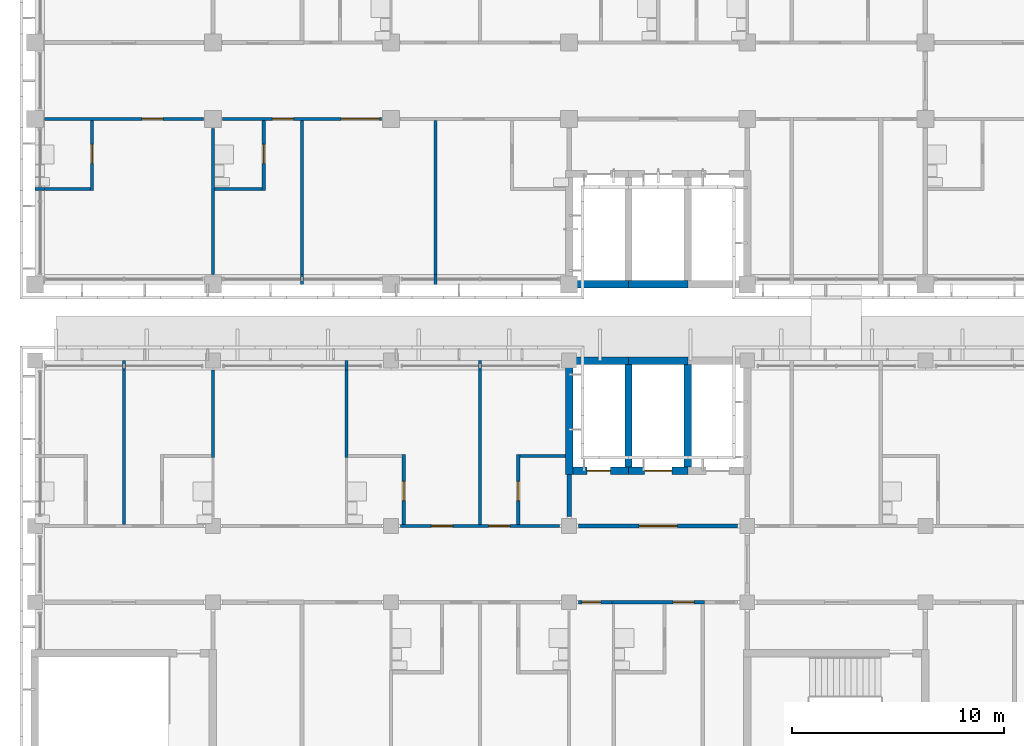
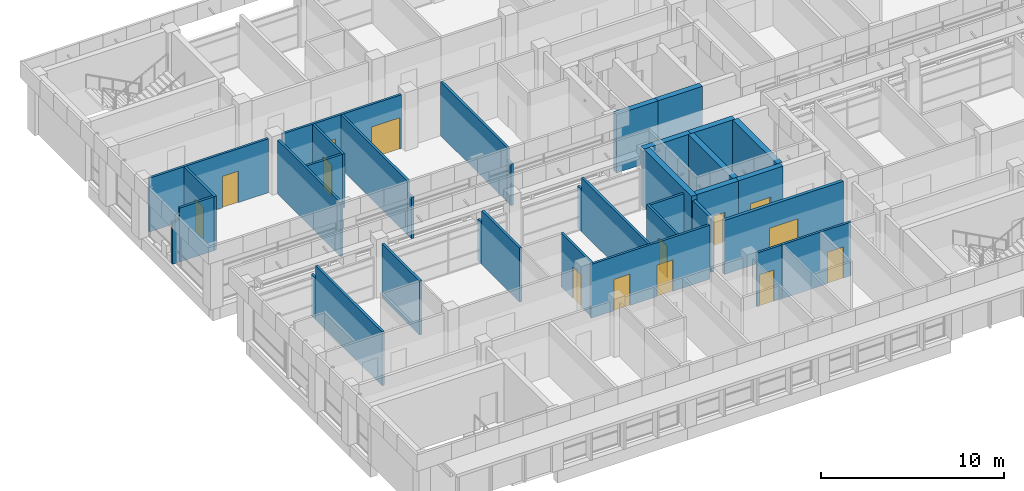
# One storey, part 28 of 71: 36 walls, 14 doors, 14 openings.
"""IFC4 building model written with IfcOpenShell, lengths in metres."""

import ifcopenshell
import ifcopenshell.guid

model = None  # the IFC model being written
_history = None  # IfcOwnerHistory: only IFC2X3 demands one
_inside = {}  # id of a spatial element -> (the spatial element, [elements in it])
_under = {}  # id of a project, library or spatial element -> (it, [spatial elements below it])
_declared = {}  # id of a project -> (the project, [libraries it declares])
_typed = {}  # id of a type object -> (the type object, [elements of that type])
_made_of = {}  # id of a material, layer set ... -> (it, [elements and type objects made of it])


def new_model(schema):
    """Start an empty IFC model of exactly this schema.

    Asked for "IFC4X3", IfcOpenShell would pick the latest addendum, in which some entities
    have other attributes; the version numbers below select the first issue.
    IFC2X3 requires an IfcOwnerHistory on every rooted entity: one is made here for all.
    """
    global model, _history
    if schema == "IFC4X3":
        model = ifcopenshell.file(schema_version=(4, 3, 0, 0))
    else:
        model = ifcopenshell.file(schema=schema)
    _inside.clear()
    _under.clear()
    _declared.clear()
    _typed.clear()
    _made_of.clear()
    _history = None
    if model.schema == "IFC2X3":
        org = make("IfcOrganization", Name="unknown")
        user = make(
            "IfcPersonAndOrganization",
            ThePerson=make("IfcPerson", FamilyName="unknown"),
            TheOrganization=org,
        )
        app = make(
            "IfcApplication",
            ApplicationDeveloper=org,
            Version="unknown",
            ApplicationFullName="unknown",
            ApplicationIdentifier="unknown",
        )
        _history = make(
            "IfcOwnerHistory",
            OwningUser=user,
            OwningApplication=app,
            ChangeAction="ADDED",
            CreationDate=0,
        )
    return model


def make(cls, **values):
    """One entity of the class cls with the attributes given. An attribute that is None is left unset."""
    return model.create_entity(
        cls, **{name: value for name, value in values.items() if value is not None}
    )


def rooted(cls, **values):
    """An entity with a GlobalId (a new one), such as an element, a storey or a relation."""
    return make(cls, GlobalId=ifcopenshell.guid.new(), OwnerHistory=_history, **values)


def si_unit(unit_type, name, prefix=None):
    """IfcSIUnit, for example si_unit("LENGTHUNIT", "METRE", prefix="MILLI")."""
    return make("IfcSIUnit", UnitType=unit_type, Prefix=prefix, Name=name)


def assignment(units):
    """IfcUnitAssignment: the units of a project."""
    return None if units is None else make("IfcUnitAssignment", Units=units)


def point(xyz):
    """IfcCartesianPoint."""
    return None if xyz is None else make("IfcCartesianPoint", Coordinates=xyz)


def direction(xyz):
    """IfcDirection."""
    return None if xyz is None else make("IfcDirection", DirectionRatios=xyz)


def frame(location, z_axis=None, x_axis=None):
    """IfcAxis2Placement3D, a coordinate frame: its origin and axes. An axis left out is left unset."""
    return make(
        "IfcAxis2Placement3D",
        Location=point(location),
        Axis=direction(z_axis),
        RefDirection=direction(x_axis),
    )


def frame_2d(location, x_axis=None):
    """IfcAxis2Placement2D, a coordinate frame in the plane: its origin and x axis."""
    return make(
        "IfcAxis2Placement2D", Location=point(location), RefDirection=direction(x_axis)
    )


def origin():
    """The frame at (0, 0, 0) with its axes left unset."""
    return frame((0.0, 0.0, 0.0))


def place(relative_to, where):
    """IfcLocalPlacement: puts the frame where relative to a parent placement (None: the world)."""
    return make(
        "IfcLocalPlacement", PlacementRelTo=relative_to, RelativePlacement=where
    )


def context(
    kind, dimensions, precision=None, world=None, true_north=None, identifier=None
):
    """IfcGeometricRepresentationContext, for example the 3D "Model" context."""
    return make(
        "IfcGeometricRepresentationContext",
        ContextIdentifier=identifier,
        ContextType=kind,
        CoordinateSpaceDimension=dimensions,
        Precision=precision,
        WorldCoordinateSystem=world,
        TrueNorth=true_north,
    )


def subcontext(parent, identifier, kind, view, scale=None):
    """IfcGeometricRepresentationSubContext, for example "Body" below "Model"."""
    return make(
        "IfcGeometricRepresentationSubContext",
        ContextIdentifier=identifier,
        ContextType=kind,
        ParentContext=parent,
        TargetScale=scale,
        TargetView=view,
    )


def project(units=None, contexts=None):
    """IfcProject with its units and contexts."""
    return rooted(
        "IfcProject",
        Name="project",
        RepresentationContexts=contexts,
        UnitsInContext=assignment(units),
    )


def spatial(cls, under=None, at=None, **own):
    """A site, building, storey or space (cls), placed at a placement, below another one or the project."""
    s = rooted(cls, ObjectPlacement=at, **own)
    if under is not None:
        _under.setdefault(under.id(), (under, []))[1].append(s)
    return s


def profile(cls, at=None, kind="AREA", **sizes):
    """A parametric profile (cls). Its sizes go by their IFC names, for example OverallWidth=200.0."""
    return make(cls, ProfileType=kind, Position=at, **sizes)


def rectangle(**sizes):
    """IfcRectangleProfileDef."""
    return profile("IfcRectangleProfileDef", **sizes)


def extrude(swept, where, along, depth):
    """IfcExtrudedAreaSolid: the profile swept, set in the frame where, extruded along a direction by depth."""
    return make(
        "IfcExtrudedAreaSolid",
        SweptArea=swept,
        Position=where,
        ExtrudedDirection=direction(along),
        Depth=depth,
    )


def shape(context_of_items, identifier, shape_type, items):
    """IfcShapeRepresentation: the items that make up one representation, for example the "Body"."""
    return make(
        "IfcShapeRepresentation",
        ContextOfItems=context_of_items,
        RepresentationIdentifier=identifier,
        RepresentationType=shape_type,
        Items=items,
    )


def material(Name=None, Category=None):
    """IfcMaterial."""
    return make("IfcMaterial", Name=Name, Category=Category)


def layer(
    of_material, thickness, ventilated=None, Name=None, Category=None, Priority=None
):
    """IfcMaterialLayer: one layer of a wall or slab, of a material (None: an air gap)."""
    return make(
        "IfcMaterialLayer",
        Material=of_material,
        LayerThickness=thickness,
        IsVentilated=ventilated,
        Name=Name,
        Category=Category,
        Priority=Priority,
    )


def layer_set(layers, Name=None):
    """IfcMaterialLayerSet."""
    return make("IfcMaterialLayerSet", MaterialLayers=layers, LayerSetName=Name)


def made_of(thing, what):
    """Note that an element or type object is made of a material, layer set ...; save() writes the relation."""
    if what is not None:
        _made_of.setdefault(what.id(), (what, []))[1].append(thing)
    return thing


def type_object(cls, material=None, **own):
    """A type object (cls), such as IfcWallType, which elements share."""
    return made_of(rooted(cls, **own), material)


def element(
    cls,
    number,
    at=None,
    inside=None,
    cuts=None,
    type_object=None,
    material=None,
    context=None,
    identifier="Body",
    shape_type=None,
    held_by="IfcProductDefinitionShape",
    body=None,
    shapes=None,
    **own,
):
    """One element of the class cls, such as IfcWall. Its Tag is "e" and its number.

    at: its placement. inside: the storey or other place that contains it. cuts: it is an
    opening in that element (IfcRelVoidsElement). A single representation is given by context,
    identifier, shape_type and body (its items); several are given by shapes. held_by: the class
    of the entity that holds the representations. save() writes the other relations.
    """
    e = rooted(cls, Tag="e%d" % number, ObjectPlacement=at, **own)
    if body is not None:
        shapes = [shape(context, identifier, shape_type, body)]
    if shapes is not None:
        e.Representation = make(held_by, Representations=shapes)
    if inside is not None:
        _inside.setdefault(inside.id(), (inside, []))[1].append(e)
    if cuts is not None:
        rooted(
            "IfcRelVoidsElement", RelatingBuildingElement=cuts, RelatedOpeningElement=e
        )
    if type_object is not None:
        _typed.setdefault(type_object.id(), (type_object, []))[1].append(e)
    return made_of(e, material)


def fill(opening, filler):
    """IfcRelFillsElement: the door or window that sits in an opening."""
    return rooted(
        "IfcRelFillsElement",
        RelatingOpeningElement=opening,
        RelatedBuildingElement=filler,
    )


def aggregate(whole, parts):
    """IfcRelAggregates: a whole, such as a stair, and the parts it consists of."""
    return rooted("IfcRelAggregates", RelatingObject=whole, RelatedObjects=parts)


def save(model, path):
    """Write the relations noted so far, then the file.

    IfcRelAggregates (storeys below a building ...), IfcRelContainedInSpatialStructure (elements
    in a storey), IfcRelDefinesByType, IfcRelAssociatesMaterial and IfcRelDeclares: one each for
    every whole, place, type object, material and project.
    """
    for whole, parts in _under.values():
        aggregate(whole, parts)
    for where, things in _inside.values():
        rooted(
            "IfcRelContainedInSpatialStructure",
            RelatedElements=things,
            RelatingStructure=where,
        )
    for kind, things in _typed.values():
        rooted("IfcRelDefinesByType", RelatedObjects=things, RelatingType=kind)
    for what, things in _made_of.values():
        rooted("IfcRelAssociatesMaterial", RelatedObjects=things, RelatingMaterial=what)
    for by, libraries in _declared.values():
        rooted("IfcRelDeclares", RelatingContext=by, RelatedDefinitions=libraries)
    model.write(path)


model = new_model("IFC4")

# Units and contexts
model_context = context("Model", 3, precision=1e-05, world=origin(), true_north=direction((0.0, 1.0)))
body_context = subcontext(model_context, "Body", "Model", "MODEL_VIEW")
ifc_project = project(units=[si_unit("LENGTHUNIT", "METRE"), si_unit("AREAUNIT", "SQUARE_METRE"), si_unit("VOLUMEUNIT", "CUBIC_METRE"), si_unit("PLANEANGLEUNIT", "RADIAN"), si_unit("MASSUNIT", "GRAM", prefix="KILO")], contexts=[model_context])

# Site, building, storey
site_placement = place(None, origin())
site = spatial("IfcSite", under=ifc_project, at=site_placement, CompositionType="ELEMENT")
building_placement = place(site_placement, origin())
building = spatial("IfcBuilding", under=site, at=building_placement, Name="Bougainvillea Quay General Hospital", CompositionType="ELEMENT")
storey_placement = place(building_placement, frame((0.0, 0.0, 24.89990234375)))
storey = spatial("IfcBuildingStorey", under=building, at=storey_placement, Name="L05", CompositionType="ELEMENT", Elevation=24.89990234375)

# Walls
ifc_material_1 = material(Name="Gypsum board partition on steel studs, insulated", Category="steel")
ifc_layer_1 = layer(ifc_material_1, 0.14990234375)
ifc_layer_set_1 = layer_set([ifc_layer_1], Name="Gypsum board partition on steel studs, insulated")
wall_type_1 = type_object("IfcWallType", Name="Partition 150 Gypsum board partition", PredefinedType="PARTITIONING", material=ifc_layer_set_1)
wall_1_placement = place(storey_placement, frame((46.199951171875, 129.074951171875, 0.0), z_axis=(0.0, 0.0, 1.0), x_axis=(0.0, 1.0, 0.0)))
element("IfcWall", 1, at=wall_1_placement, inside=storey, type_object=wall_type_1, Name="Partition 150 mm", PredefinedType="PARTITIONING", context=body_context, shape_type="SweptSolid", body=[
    extrude(rectangle(XDim=7.275146484375, YDim=0.14990234375, at=frame_2d((3.6376953125, 0.0))), origin(), (0.0, 0.0, 1.0), 3.60009765625),
])
wall_2_placement = place(storey_placement, frame((46.199951171875, 136.35009765625, 0.0), z_axis=(0.0, 0.0, 1.0), x_axis=(0.0, 1.0, 0.0)))
element("IfcWall", 2, at=wall_2_placement, inside=storey, type_object=wall_type_1, Name="Partition 150 mm", PredefinedType="PARTITIONING", context=body_context, shape_type="SweptSolid", body=[
    extrude(rectangle(XDim=0.449951171875, YDim=0.14990234375, at=frame_2d((0.22509765625, 0.0))), origin(), (0.0, 0.0, 1.0), 2.780029296875),
])
wall_3_placement = place(storey_placement, frame((63.0, 129.074951171875, 0.0), z_axis=(0.0, 0.0, 1.0), x_axis=(0.0, 1.0, 0.0)))
element("IfcWall", 3, at=wall_3_placement, inside=storey, type_object=wall_type_1, Name="Partition 150 mm", PredefinedType="PARTITIONING", context=body_context, shape_type="SweptSolid", body=[
    extrude(rectangle(XDim=7.275146484375, YDim=0.14990234375, at=frame_2d((3.6376953125, 0.0))), origin(), (0.0, 0.0, 1.0), 3.60009765625),
])
wall_4_placement = place(storey_placement, frame((63.0, 136.35009765625, 0.0), z_axis=(0.0, 0.0, 1.0), x_axis=(0.0, 1.0, 0.0)))
element("IfcWall", 4, at=wall_4_placement, inside=storey, type_object=wall_type_1, Name="Partition 150 mm", PredefinedType="PARTITIONING", context=body_context, shape_type="SweptSolid", body=[
    extrude(rectangle(XDim=0.449951171875, YDim=0.14990234375, at=frame_2d((0.22509765625, 0.0))), origin(), (0.0, 0.0, 1.0), 2.780029296875),
])
wall_5_placement = place(storey_placement, frame((50.39990234375, 140.85009765625, 0.0), z_axis=(0.0, 0.0, 1.0), x_axis=(0.0, 1.0, 0.0)))
element("IfcWall", 5, at=wall_5_placement, inside=storey, type_object=wall_type_1, Name="Partition 150 mm", PredefinedType="PARTITIONING", context=body_context, shape_type="SweptSolid", body=[
    extrude(rectangle(XDim=6.89990234375, YDim=0.14990234375, at=frame_2d((3.449951171875, 0.0))), origin(), (0.0, 0.0, 1.0), 3.60009765625),
])
wall_6_placement = place(storey_placement, frame((54.60009765625, 140.39990234375, 0.0), z_axis=(0.0, 0.0, 1.0), x_axis=(0.0, 1.0, 0.0)))
element("IfcWall", 6, at=wall_6_placement, inside=storey, type_object=wall_type_1, Name="Partition 150 mm", PredefinedType="PARTITIONING", context=body_context, shape_type="SweptSolid", body=[
    extrude(rectangle(XDim=0.4501953125, YDim=0.14990234375, at=frame_2d((0.22509765625, 0.0))), origin(), (0.0, 0.0, 1.0), 2.780029296875),
])
wall_7_placement = place(storey_placement, frame((54.60009765625, 140.85009765625, 0.0), z_axis=(0.0, 0.0, 1.0), x_axis=(0.0, 1.0, 0.0)))
element("IfcWall", 7, at=wall_7_placement, inside=storey, type_object=wall_type_1, Name="Partition 150 mm", PredefinedType="PARTITIONING", context=body_context, shape_type="SweptSolid", body=[
    extrude(rectangle(XDim=7.27490234375, YDim=0.14990234375, at=frame_2d((3.637451171875, 0.0))), origin(), (0.0, 0.0, 1.0), 3.60009765625),
])
wall_8_placement = place(storey_placement, frame((60.89990234375, 140.39990234375, 0.0), z_axis=(0.0, 0.0, 1.0), x_axis=(0.0, 1.0, 0.0)))
element("IfcWall", 8, at=wall_8_placement, inside=storey, type_object=wall_type_1, Name="Partition 150 mm", PredefinedType="PARTITIONING", context=body_context, shape_type="SweptSolid", body=[
    extrude(rectangle(XDim=0.4501953125, YDim=0.14990234375, at=frame_2d((0.22509765625, 0.0))), origin(), (0.0, 0.0, 1.0), 2.780029296875),
])
wall_9_placement = place(storey_placement, frame((60.89990234375, 140.85009765625, 0.0), z_axis=(0.0, 0.0, 1.0), x_axis=(0.0, 1.0, 0.0)))
element("IfcWall", 9, at=wall_9_placement, inside=storey, type_object=wall_type_1, Name="Partition 150 mm", PredefinedType="PARTITIONING", context=body_context, shape_type="SweptSolid", body=[
    extrude(rectangle(XDim=7.27490234375, YDim=0.14990234375, at=frame_2d((3.637451171875, 0.0))), origin(), (0.0, 0.0, 1.0), 3.60009765625),
])
for number, where, z_axis, x_axis, name in (
    (10, (50.39990234375, 132.22509765625, 0.0), (0.0, 0.0, 1.0), (0.0, 1.0, 0.0), "Partition 150 mm"),
    (11, (56.699951171875, 132.22509765625, 0.0), (0.0, 0.0, 1.0), (0.0, 1.0, 0.0), "Partition 150 mm"),
):
    element("IfcWall", number, at=place(storey_placement, frame(where, z_axis=z_axis, x_axis=x_axis)), inside=storey, type_object=wall_type_1, Name=name, PredefinedType="PARTITIONING", context=body_context, shape_type="SweptSolid", body=[
        extrude(rectangle(XDim=4.125, YDim=0.14990234375, at=frame_2d((2.0625, 0.0))), origin(), (0.0, 0.0, 1.0), 3.60009765625),
    ])
wall_10_placement = place(storey_placement, frame((56.699951171875, 136.35009765625, 0.0), z_axis=(0.0, 0.0, 1.0), x_axis=(0.0, 1.0, 0.0)))
element("IfcWall", 12, at=wall_10_placement, inside=storey, type_object=wall_type_1, Name="Partition 150 mm", PredefinedType="PARTITIONING", context=body_context, shape_type="SweptSolid", body=[
    extrude(rectangle(XDim=0.449951171875, YDim=0.14990234375, at=frame_2d((0.22509765625, 0.0))), origin(), (0.0, 0.0, 1.0), 2.780029296875),
])

# Wall, opening, door
wall_11_placement = place(storey_placement, frame((59.39990234375, 129.074951171875, 0.0), z_axis=(0.0, 0.0, 1.0), x_axis=(0.0, 1.0, 0.0)))
wall_11 = element("IfcWall", 13, at=wall_11_placement, inside=storey, type_object=wall_type_1, Name="Partition 150 mm", PredefinedType="PARTITIONING", context=body_context, shape_type="SweptSolid", body=[
    extrude(rectangle(XDim=3.300048828125, YDim=0.14990234375, at=frame_2d((1.64990234375, 0.0))), origin(), (0.0, 0.0, 1.0), 3.60009765625),
])
opening_1_placement = place(wall_11_placement, frame((1.125, 0.0, 0.0)))
opening_1 = element("IfcOpeningElement", 14, at=opening_1_placement, cuts=wall_11, Name="Opening L05.084", PredefinedType="OPENING", context=body_context, shape_type="SweptSolid", body=[
    extrude(rectangle(XDim=0.89990234375, YDim=2.10009765625, at=frame_2d((0.449951171875, 1.050048828125))), frame((0.0, 0.0849609375, 0.0), z_axis=(0.0, -1.0, 0.0), x_axis=(1.0, 0.0, 0.0)), (0.0, 0.0, 1.0), 0.169921875),
])
ifc_material_2 = material(Name="Solid-core timber door leaf in steel frame", Category="steel")
door_type_1 = type_object("IfcDoorType", Name="Single leaf door 900x2100", OperationType="NOTDEFINED", PredefinedType="DOOR", material=ifc_material_2)
door_1_placement = place(opening_1_placement, origin())
door_1 = element("IfcDoor", 15, at=door_1_placement, inside=storey, type_object=door_type_1, Name="DT07 L05.084", OperationType="SINGLE_SWING_LEFT", OverallHeight=2.10009765625, OverallWidth=0.89990234375, PredefinedType="DOOR", context=body_context, shape_type="SweptSolid", body=[
    extrude(rectangle(XDim=0.89990234375, YDim=2.10009765625, at=frame_2d((0.449951171875, 1.050048828125))), frame((0.0, 0.02490234375, 0.0), z_axis=(0.0, -1.0, 0.0), x_axis=(1.0, 0.0, 0.0)), (0.0, 0.0, 1.0), 0.050048828125),
])
fill(opening_1, door_1)

wall_12_placement = place(storey_placement, frame((64.800048828125, 129.074951171875, 0.0), z_axis=(0.0, 0.0, 1.0), x_axis=(0.0, 1.0, 0.0)))
wall_12 = element("IfcWall", 16, at=wall_12_placement, inside=storey, type_object=wall_type_1, Name="Partition 150 mm", PredefinedType="PARTITIONING", context=body_context, shape_type="SweptSolid", body=[
    extrude(rectangle(XDim=3.300048828125, YDim=0.14990234375, at=frame_2d((1.64990234375, 0.0))), origin(), (0.0, 0.0, 1.0), 3.60009765625),
])
opening_2_placement = place(wall_12_placement, frame((1.125, 0.0, 0.0)))
opening_2 = element("IfcOpeningElement", 17, at=opening_2_placement, cuts=wall_12, Name="Opening L05.086", PredefinedType="OPENING", context=body_context, shape_type="SweptSolid", body=[
    extrude(rectangle(XDim=0.89990234375, YDim=2.10009765625, at=frame_2d((0.449951171875, 1.050048828125))), frame((0.0, 0.0849609375, 0.0), z_axis=(0.0, -1.0, 0.0), x_axis=(1.0, 0.0, 0.0)), (0.0, 0.0, 1.0), 0.169921875),
])
door_2_placement = place(opening_2_placement, frame((0.89990234375, 0.0, 0.0), z_axis=(0.0, 0.0, 1.0), x_axis=(-1.0, 0.0, 0.0)))
door_2 = element("IfcDoor", 18, at=door_2_placement, inside=storey, type_object=door_type_1, Name="DT07 L05.086", OperationType="SINGLE_SWING_RIGHT", OverallHeight=2.10009765625, OverallWidth=0.89990234375, PredefinedType="DOOR", context=body_context, shape_type="SweptSolid", body=[
    extrude(rectangle(XDim=0.89990234375, YDim=2.10009765625, at=frame_2d((0.449951171875, 1.050048828125))), frame((0.0, 0.02490234375, 0.0), z_axis=(0.0, -1.0, 0.0), x_axis=(1.0, 0.0, 0.0)), (0.0, 0.0, 1.0), 0.050048828125),
])
fill(opening_2, door_2)

wall_13_placement = place(storey_placement, frame((44.699951171875, 144.824951171875, 0.0), z_axis=(0.0, 0.0, 1.0), x_axis=(0.0, 1.0, 0.0)))
wall_13 = element("IfcWall", 19, at=wall_13_placement, inside=storey, type_object=wall_type_1, Name="Partition 150 mm", PredefinedType="PARTITIONING", context=body_context, shape_type="SweptSolid", body=[
    extrude(rectangle(XDim=3.300048828125, YDim=0.14990234375, at=frame_2d((1.64990234375, 0.0))), origin(), (0.0, 0.0, 1.0), 3.60009765625),
])
opening_3_placement = place(wall_13_placement, frame((1.27490234375, 0.0, 0.0)))
opening_3 = element("IfcOpeningElement", 20, at=opening_3_placement, cuts=wall_13, Name="Opening L05.005", PredefinedType="OPENING", context=body_context, shape_type="SweptSolid", body=[
    extrude(rectangle(XDim=0.89990234375, YDim=2.10009765625, at=frame_2d((0.449951171875, 1.050048828125))), frame((0.0, 0.0849609375, 0.0), z_axis=(0.0, -1.0, 0.0), x_axis=(1.0, 0.0, 0.0)), (0.0, 0.0, 1.0), 0.169921875),
])
door_3_placement = place(opening_3_placement, origin())
door_3 = element("IfcDoor", 21, at=door_3_placement, inside=storey, type_object=door_type_1, Name="DT07 L05.005", OperationType="SINGLE_SWING_RIGHT", OverallHeight=2.10009765625, OverallWidth=0.89990234375, PredefinedType="DOOR", context=body_context, shape_type="SweptSolid", body=[
    extrude(rectangle(XDim=0.89990234375, YDim=2.10009765625, at=frame_2d((0.449951171875, 1.050048828125))), frame((0.0, 0.02490234375, 0.0), z_axis=(0.0, -1.0, 0.0), x_axis=(1.0, 0.0, 0.0)), (0.0, 0.0, 1.0), 0.050048828125),
])
fill(opening_3, door_3)

wall_14_placement = place(storey_placement, frame((52.800048828125, 144.824951171875, 0.0), z_axis=(0.0, 0.0, 1.0), x_axis=(0.0, 1.0, 0.0)))
wall_14 = element("IfcWall", 22, at=wall_14_placement, inside=storey, type_object=wall_type_1, Name="Partition 150 mm", PredefinedType="PARTITIONING", context=body_context, shape_type="SweptSolid", body=[
    extrude(rectangle(XDim=3.300048828125, YDim=0.14990234375, at=frame_2d((1.64990234375, 0.0))), origin(), (0.0, 0.0, 1.0), 3.60009765625),
])
opening_4_placement = place(wall_14_placement, frame((1.27490234375, 0.0, 0.0)))
opening_4 = element("IfcOpeningElement", 23, at=opening_4_placement, cuts=wall_14, Name="Opening L05.007", PredefinedType="OPENING", context=body_context, shape_type="SweptSolid", body=[
    extrude(rectangle(XDim=0.89990234375, YDim=2.10009765625, at=frame_2d((0.449951171875, 1.050048828125))), frame((0.0, 0.0849609375, 0.0), z_axis=(0.0, -1.0, 0.0), x_axis=(1.0, 0.0, 0.0)), (0.0, 0.0, 1.0), 0.169921875),
])
door_4_placement = place(opening_4_placement, origin())
door_4 = element("IfcDoor", 24, at=door_4_placement, inside=storey, type_object=door_type_1, Name="DT07 L05.007", OperationType="SINGLE_SWING_RIGHT", OverallHeight=2.10009765625, OverallWidth=0.89990234375, PredefinedType="DOOR", context=body_context, shape_type="SweptSolid", body=[
    extrude(rectangle(XDim=0.89990234375, YDim=2.10009765625, at=frame_2d((0.449951171875, 1.050048828125))), frame((0.0, 0.02490234375, 0.0), z_axis=(0.0, -1.0, 0.0), x_axis=(1.0, 0.0, 0.0)), (0.0, 0.0, 1.0), 0.050048828125),
])
fill(opening_4, door_4)

# Walls
wall_15_placement = place(storey_placement, frame((42.0, 144.89990234375, 0.0), z_axis=(0.0, 0.0, 1.0), x_axis=(1.0, 0.0, 0.0)))
element("IfcWall", 25, at=wall_15_placement, inside=storey, type_object=wall_type_1, Name="Partition 150 mm", PredefinedType="PARTITIONING", context=body_context, shape_type="SweptSolid", body=[
    extrude(rectangle(XDim=0.449951171875, YDim=0.14990234375, at=frame_2d((0.22509765625, 0.0))), origin(), (0.0, 0.0, 1.0), 2.780029296875),
])
wall_16_placement = place(storey_placement, frame((42.449951171875, 144.89990234375, 0.0), z_axis=(0.0, 0.0, 1.0), x_axis=(1.0, 0.0, 0.0)))
element("IfcWall", 26, at=wall_16_placement, inside=storey, type_object=wall_type_1, Name="Partition 150 mm", PredefinedType="PARTITIONING", context=body_context, shape_type="SweptSolid", body=[
    extrude(rectangle(XDim=2.175048828125, YDim=0.14990234375, at=frame_2d((1.08740234375, 0.0))), origin(), (0.0, 0.0, 1.0), 3.60009765625),
])
wall_17_placement = place(storey_placement, frame((64.875, 132.300048828125, 0.0), z_axis=(0.0, 0.0, 1.0), x_axis=(1.0, 0.0, 0.0)))
element("IfcWall", 27, at=wall_17_placement, inside=storey, type_object=wall_type_1, Name="Partition 150 mm", PredefinedType="PARTITIONING", context=body_context, shape_type="SweptSolid", body=[
    extrude(rectangle(XDim=2.14990234375, YDim=0.14990234375, at=frame_2d((1.074951171875, 0.0))), origin(), (0.0, 0.0, 1.0), 3.60009765625),
])
wall_18_placement = place(storey_placement, frame((50.47509765625, 144.89990234375, 0.0), z_axis=(0.0, 0.0, 1.0), x_axis=(1.0, 0.0, 0.0)))
element("IfcWall", 28, at=wall_18_placement, inside=storey, type_object=wall_type_1, Name="Partition 150 mm", PredefinedType="PARTITIONING", context=body_context, shape_type="SweptSolid", body=[
    extrude(rectangle(XDim=2.25, YDim=0.14990234375, at=frame_2d((1.125, 0.0))), origin(), (0.0, 0.0, 1.0), 3.60009765625),
])

# Wall, openings, doors
ifc_layer_2 = layer(ifc_material_1, 0.14990234375)
ifc_layer_set_2 = layer_set([ifc_layer_2], Name="Gypsum board partition on steel studs, insulated")
wall_type_2 = type_object("IfcWallType", Name="Partition 150 Gypsum board partition EI 30", PredefinedType="PARTITIONING", material=ifc_layer_set_2)
wall_19_placement = place(storey_placement, frame((66.75, 129.0, 0.0), z_axis=(0.0, 0.0, 1.0), x_axis=(-1.0, 0.0, 0.0)))
wall_19 = element("IfcWall", 29, at=wall_19_placement, inside=storey, type_object=wall_type_2, Name="Partition 150 mm EI 30", PredefinedType="PARTITIONING", context=body_context, shape_type="SweptSolid", body=[
    extrude(rectangle(XDim=7.5, YDim=0.14990234375, at=frame_2d((3.75, 0.0))), origin(), (0.0, 0.0, 1.0), 3.60009765625),
])
opening_5_placement = place(wall_19_placement, frame((5.050048828125, 0.0, 0.0)))
opening_5 = element("IfcOpeningElement", 30, at=opening_5_placement, cuts=wall_19, Name="Opening L05.083", PredefinedType="OPENING", context=body_context, shape_type="SweptSolid", body=[
    extrude(rectangle(XDim=1.0, YDim=2.10009765625, at=frame_2d((0.5, 1.050048828125))), frame((0.0, 0.0849609375, 0.0), z_axis=(0.0, -1.0, 0.0), x_axis=(1.0, 0.0, 0.0)), (0.0, 0.0, 1.0), 0.169921875),
])
opening_6_placement = place(wall_19_placement, frame((2.35009765625, 0.0, 0.0)))
opening_6 = element("IfcOpeningElement", 31, at=opening_6_placement, cuts=wall_19, Name="Opening L05.085", PredefinedType="OPENING", context=body_context, shape_type="SweptSolid", body=[
    extrude(rectangle(XDim=1.0, YDim=2.10009765625, at=frame_2d((0.5, 1.050048828125))), frame((0.0, 0.0849609375, 0.0), z_axis=(0.0, -1.0, 0.0), x_axis=(1.0, 0.0, 0.0)), (0.0, 0.0, 1.0), 0.169921875),
])
door_type_2 = type_object("IfcDoorType", Name="Single leaf door 1000x2100 FD30S", OperationType="NOTDEFINED", PredefinedType="DOOR", material=ifc_material_2)
door_5_placement = place(opening_5_placement, frame((1.0, 0.0, 0.0), z_axis=(0.0, 0.0, 1.0), x_axis=(-1.0, 0.0, 0.0)))
door_5 = element("IfcDoor", 32, at=door_5_placement, inside=storey, type_object=door_type_2, Name="DT15 L05.083", OperationType="SINGLE_SWING_LEFT", OverallHeight=2.10009765625, OverallWidth=1.0, PredefinedType="DOOR", context=body_context, shape_type="SweptSolid", body=[
    extrude(rectangle(XDim=1.0, YDim=2.10009765625, at=frame_2d((0.5, 1.050048828125))), frame((0.0, 0.02490234375, 0.0), z_axis=(0.0, -1.0, 0.0), x_axis=(1.0, 0.0, 0.0)), (0.0, 0.0, 1.0), 0.050048828125),
])
fill(opening_5, door_5)
door_6_placement = place(opening_6_placement, frame((1.0, 0.0, 0.0), z_axis=(0.0, 0.0, 1.0), x_axis=(-1.0, 0.0, 0.0)))
door_6 = element("IfcDoor", 33, at=door_6_placement, inside=storey, type_object=door_type_2, Name="DT15 L05.085", OperationType="SINGLE_SWING_RIGHT", OverallHeight=2.10009765625, OverallWidth=1.0, PredefinedType="DOOR", context=body_context, shape_type="SweptSolid", body=[
    extrude(rectangle(XDim=1.0, YDim=2.10009765625, at=frame_2d((0.5, 1.050048828125))), frame((0.0, 0.02490234375, 0.0), z_axis=(0.0, -1.0, 0.0), x_axis=(1.0, 0.0, 0.0)), (0.0, 0.0, 1.0), 0.050048828125),
])
fill(opening_6, door_6)

wall_20_placement = place(storey_placement, frame((58.35009765625, 148.199951171875, 0.0), z_axis=(0.0, 0.0, 1.0), x_axis=(-1.0, 0.0, 0.0)))
wall_20 = element("IfcWall", 34, at=wall_20_placement, inside=storey, type_object=wall_type_2, Name="Partition 150 mm EI 30", PredefinedType="PARTITIONING", context=body_context, shape_type="SweptSolid", body=[
    extrude(rectangle(XDim=7.5, YDim=0.14990234375, at=frame_2d((3.75, 0.0))), origin(), (0.0, 0.0, 1.0), 3.60009765625),
])
opening_7_placement = place(wall_20_placement, frame((4.14990234375, 0.0, 0.0)))
opening_7 = element("IfcOpeningElement", 35, at=opening_7_placement, cuts=wall_20, Name="Opening L05.006", PredefinedType="OPENING", context=body_context, shape_type="SweptSolid", body=[
    extrude(rectangle(XDim=1.0, YDim=2.10009765625, at=frame_2d((0.5, 1.050048828125))), frame((0.0, 0.0849609375, 0.0), z_axis=(0.0, -1.0, 0.0), x_axis=(1.0, 0.0, 0.0)), (0.0, 0.0, 1.0), 0.169921875),
])
opening_8_placement = place(wall_20_placement, frame((0.10009765625, 0.0, 0.0)))
opening_8 = element("IfcOpeningElement", 36, at=opening_8_placement, cuts=wall_20, Name="Opening L05.008", PredefinedType="OPENING", context=body_context, shape_type="SweptSolid", body=[
    extrude(rectangle(XDim=1.800048828125, YDim=2.10009765625, at=frame_2d((0.89990234375, 1.050048828125))), frame((0.0, 0.0849609375, 0.0), z_axis=(0.0, -1.0, 0.0), x_axis=(1.0, 0.0, 0.0)), (0.0, 0.0, 1.0), 0.169921875),
])
ifc_material_3 = material(Name="Solid-core timber door leaves in steel frame", Category="steel")
door_type_3 = type_object("IfcDoorType", Name="Double leaf door 1800x2100 FD30S", OperationType="DOUBLE_DOOR_SINGLE_SWING", PredefinedType="DOOR", material=ifc_material_3)
door_7_placement = place(opening_8_placement, origin())
door_7 = element("IfcDoor", 37, at=door_7_placement, inside=storey, type_object=door_type_3, Name="DT17 L05.008", OperationType="DOUBLE_DOOR_SINGLE_SWING", OverallHeight=2.10009765625, OverallWidth=1.800048828125, PredefinedType="DOOR", context=body_context, shape_type="SweptSolid", body=[
    extrude(rectangle(XDim=1.800048828125, YDim=2.10009765625, at=frame_2d((0.89990234375, 1.050048828125))), frame((0.0, 0.02490234375, 0.0), z_axis=(0.0, -1.0, 0.0), x_axis=(1.0, 0.0, 0.0)), (0.0, 0.0, 1.0), 0.050048828125),
])
fill(opening_8, door_7)
door_8_placement = place(opening_7_placement, origin())
door_8 = element("IfcDoor", 38, at=door_8_placement, inside=storey, type_object=door_type_2, Name="DT15 L05.006", OperationType="SINGLE_SWING_RIGHT", OverallHeight=2.10009765625, OverallWidth=1.0, PredefinedType="DOOR", context=body_context, shape_type="SweptSolid", body=[
    extrude(rectangle(XDim=1.0, YDim=2.10009765625, at=frame_2d((0.5, 1.050048828125))), frame((0.0, 0.02490234375, 0.0), z_axis=(0.0, -1.0, 0.0), x_axis=(1.0, 0.0, 0.0)), (0.0, 0.0, 1.0), 0.050048828125),
])
fill(opening_7, door_8)

# Wall, opening, door
wall_21_placement = place(storey_placement, frame((49.949951171875, 148.199951171875, 0.0), z_axis=(0.0, 0.0, 1.0), x_axis=(-1.0, 0.0, 0.0)))
wall_21 = element("IfcWall", 39, at=wall_21_placement, inside=storey, type_object=wall_type_2, Name="Partition 150 mm EI 30", PredefinedType="PARTITIONING", context=body_context, shape_type="SweptSolid", body=[
    extrude(rectangle(XDim=7.5, YDim=0.14990234375, at=frame_2d((3.75, 0.0))), origin(), (0.0, 0.0, 1.0), 3.60009765625),
])
opening_9_placement = place(wall_21_placement, frame((1.89990234375, 0.0, 0.0)))
opening_9 = element("IfcOpeningElement", 40, at=opening_9_placement, cuts=wall_21, Name="Opening L05.004", PredefinedType="OPENING", context=body_context, shape_type="SweptSolid", body=[
    extrude(rectangle(XDim=1.0, YDim=2.10009765625, at=frame_2d((0.5, 1.050048828125))), frame((0.0, 0.0849609375, 0.0), z_axis=(0.0, -1.0, 0.0), x_axis=(1.0, 0.0, 0.0)), (0.0, 0.0, 1.0), 0.169921875),
])
door_9_placement = place(opening_9_placement, origin())
door_9 = element("IfcDoor", 41, at=door_9_placement, inside=storey, type_object=door_type_2, Name="DT15 L05.004", OperationType="SINGLE_SWING_LEFT", OverallHeight=2.10009765625, OverallWidth=1.0, PredefinedType="DOOR", context=body_context, shape_type="SweptSolid", body=[
    extrude(rectangle(XDim=1.0, YDim=2.10009765625, at=frame_2d((0.5, 1.050048828125))), frame((0.0, 0.02490234375, 0.0), z_axis=(0.0, -1.0, 0.0), x_axis=(1.0, 0.0, 0.0)), (0.0, 0.0, 1.0), 0.050048828125),
])
fill(opening_9, door_9)

wall_22_placement = place(storey_placement, frame((69.22509765625, 125.39990234375, 0.0), z_axis=(0.0, 0.0, 1.0), x_axis=(1.0, 0.0, 0.0)))
wall_22 = element("IfcWall", 42, at=wall_22_placement, inside=storey, type_object=wall_type_2, Name="Partition 150 mm EI 30", PredefinedType="PARTITIONING", context=body_context, shape_type="SweptSolid", body=[
    extrude(rectangle(XDim=4.349853515625, YDim=0.14990234375, at=frame_2d((2.1748046875, 0.0))), origin(), (0.0, 0.0, 1.0), 3.60009765625),
])
opening_10_placement = place(wall_22_placement, frame((2.875, 0.0, 0.0)))
opening_10 = element("IfcOpeningElement", 43, at=opening_10_placement, cuts=wall_22, Name="Opening L05.093", PredefinedType="OPENING", context=body_context, shape_type="SweptSolid", body=[
    extrude(rectangle(XDim=1.0, YDim=2.10009765625, at=frame_2d((0.5, 1.050048828125))), frame((0.0, 0.0849609375, 0.0), z_axis=(0.0, -1.0, 0.0), x_axis=(1.0, 0.0, 0.0)), (0.0, 0.0, 1.0), 0.169921875),
])
door_10_placement = place(opening_10_placement, frame((1.0, 0.0, 0.0), z_axis=(0.0, 0.0, 1.0), x_axis=(-1.0, 0.0, 0.0)))
door_10 = element("IfcDoor", 44, at=door_10_placement, inside=storey, type_object=door_type_2, Name="DT15 L05.093", OperationType="SINGLE_SWING_LEFT", OverallHeight=2.10009765625, OverallWidth=1.0, PredefinedType="DOOR", context=body_context, shape_type="SweptSolid", body=[
    extrude(rectangle(XDim=1.0, YDim=2.10009765625, at=frame_2d((0.5, 1.050048828125))), frame((0.0, 0.02490234375, 0.0), z_axis=(0.0, -1.0, 0.0), x_axis=(1.0, 0.0, 0.0)), (0.0, 0.0, 1.0), 0.050048828125),
])
fill(opening_10, door_10)

ifc_layer_3 = layer(ifc_material_1, 0.14990234375)
ifc_layer_set_3 = layer_set([ifc_layer_3], Name="Gypsum board partition on steel studs, insulated")
wall_type_3 = type_object("IfcWallType", Name="Partition 150 Gypsum board partition EI 60", PredefinedType="PARTITIONING", material=ifc_layer_set_3)
wall_23_placement = place(storey_placement, frame((67.64990234375, 125.39990234375, 0.0), z_axis=(0.0, 0.0, 1.0), x_axis=(1.0, 0.0, 0.0)))
wall_23 = element("IfcWall", 45, at=wall_23_placement, inside=storey, type_object=wall_type_3, Name="Partition 150 mm EI 60", PredefinedType="PARTITIONING", context=body_context, shape_type="SweptSolid", body=[
    extrude(rectangle(XDim=1.5751953125, YDim=0.14990234375, at=frame_2d((0.78759765625, 0.0))), origin(), (0.0, 0.0, 1.0), 3.60009765625),
])
opening_11_placement = place(wall_23_placement, frame((0.14990234375, 0.0, 0.0)))
opening_11 = element("IfcOpeningElement", 46, at=opening_11_placement, cuts=wall_23, Name="Opening L05.092", PredefinedType="OPENING", context=body_context, shape_type="SweptSolid", body=[
    extrude(rectangle(XDim=0.89990234375, YDim=2.10009765625, at=frame_2d((0.449951171875, 1.050048828125))), frame((0.0, 0.0849609375, 0.0), z_axis=(0.0, -1.0, 0.0), x_axis=(1.0, 0.0, 0.0)), (0.0, 0.0, 1.0), 0.169921875),
])
door_type_4 = type_object("IfcDoorType", Name="Single leaf door 900x2100 FD60", OperationType="NOTDEFINED", PredefinedType="DOOR", material=ifc_material_2)
door_11_placement = place(opening_11_placement, frame((0.89990234375, 0.0, 0.0), z_axis=(0.0, 0.0, 1.0), x_axis=(-1.0, 0.0, 0.0)))
door_11 = element("IfcDoor", 47, at=door_11_placement, inside=storey, type_object=door_type_4, Name="DT18 L05.092", OperationType="SINGLE_SWING_RIGHT", OverallHeight=2.10009765625, OverallWidth=0.89990234375, PredefinedType="DOOR", context=body_context, shape_type="SweptSolid", body=[
    extrude(rectangle(XDim=0.89990234375, YDim=2.10009765625, at=frame_2d((0.449951171875, 1.050048828125))), frame((0.0, 0.02490234375, 0.0), z_axis=(0.0, -1.0, 0.0), x_axis=(1.0, 0.0, 0.0)), (0.0, 0.0, 1.0), 0.050048828125),
])
fill(opening_11, door_11)

ifc_material_4 = material(Name="Fire-rated autoclaved aerated block wall, plastered")
ifc_layer_4 = layer(ifc_material_4, 0.199951171875)
ifc_layer_set_4 = layer_set([ifc_layer_4], Name="Fire-rated autoclaved aerated block wall, plastered")
wall_type_4 = type_object("IfcWallType", Name="Partition 200 Fire-rated autoclaved aerated block wall EI 120", PredefinedType="SOLIDWALL", material=ifc_layer_set_4)
wall_24_placement = place(storey_placement, frame((67.64990234375, 129.0, 0.0), z_axis=(0.0, 0.0, 1.0), x_axis=(1.0, 0.0, 0.0)))
wall_24 = element("IfcWall", 48, at=wall_24_placement, inside=storey, type_object=wall_type_4, Name="Partition 200 mm EI 120", PredefinedType="SOLIDWALL", context=body_context, shape_type="SweptSolid", body=[
    extrude(rectangle(XDim=7.5, YDim=0.199951171875, at=frame_2d((3.75, 0.0))), origin(), (0.0, 0.0, 1.0), 3.60009765625),
])
opening_12_placement = place(wall_24_placement, frame((2.85009765625, 0.0, 0.0)))
opening_12 = element("IfcOpeningElement", 49, at=opening_12_placement, cuts=wall_24, Name="Opening L05.147", PredefinedType="OPENING", context=body_context, shape_type="SweptSolid", body=[
    extrude(rectangle(XDim=1.800048828125, YDim=2.10009765625, at=frame_2d((0.89990234375, 1.050048828125))), frame((0.0, 0.10986328125, 0.0), z_axis=(0.0, -1.0, 0.0), x_axis=(1.0, 0.0, 0.0)), (0.0, 0.0, 1.0), 0.219970703125),
])
ifc_material_5 = material(Name="Steel fire door leaves in steel frame", Category="steel")
door_type_5 = type_object("IfcDoorType", Name="Steel double leaf door 1800x2100 FD60", OperationType="DOUBLE_DOOR_SINGLE_SWING", PredefinedType="DOOR", material=ifc_material_5)
door_12_placement = place(opening_12_placement, origin())
door_12 = element("IfcDoor", 50, at=door_12_placement, inside=storey, type_object=door_type_5, Name="DT05 L05.147", OperationType="DOUBLE_DOOR_SINGLE_SWING", OverallHeight=2.10009765625, OverallWidth=1.800048828125, PredefinedType="DOOR", context=body_context, shape_type="SweptSolid", body=[
    extrude(rectangle(XDim=1.800048828125, YDim=2.10009765625, at=frame_2d((0.89990234375, 1.050048828125))), frame((0.0, 0.02490234375, 0.0), z_axis=(0.0, -1.0, 0.0), x_axis=(1.0, 0.0, 0.0)), (0.0, 0.0, 1.0), 0.050048828125),
])
fill(opening_12, door_12)

# Walls
wall_25_placement = place(storey_placement, frame((67.199951171875, 129.449951171875, 0.0), z_axis=(0.0, 0.0, 1.0), x_axis=(0.0, 1.0, 0.0)))
element("IfcWall", 51, at=wall_25_placement, inside=storey, type_object=wall_type_4, Name="Partition 200 mm EI 120", PredefinedType="SOLIDWALL", context=body_context, shape_type="SweptSolid", body=[
    extrude(rectangle(XDim=1.97509765625, YDim=0.199951171875, at=frame_2d((0.987548828125, 0.0))), origin(), (0.0, 0.0, 1.0), 3.60009765625),
])
ifc_material_6 = material(Name="Concrete C40", Category="concrete")
ifc_layer_5 = layer(ifc_material_6, 0.35009765625)
ifc_layer_set_5 = layer_set([ifc_layer_5], Name="Concrete C40")
wall_type_5 = type_object("IfcWallType", Name="RC SHEAR WALL 350 C40", PredefinedType="SHEAR", material=ifc_layer_set_5)
wall_26_placement = place(storey_placement, frame((67.02490234375, 136.800048828125, 0.0), z_axis=(0.0, 0.0, 1.0), x_axis=(1.0, 0.0, 0.0)))
element("IfcWall", 52, at=wall_26_placement, inside=storey, type_object=wall_type_5, Name="Shear wall L05", PredefinedType="SHEAR", context=body_context, shape_type="SweptSolid", body=[
    extrude(rectangle(XDim=2.97509765625, YDim=0.35009765625, at=frame_2d((1.487548828125, 0.0))), origin(), (0.0, 0.0, 1.0), 3.900146484375),
])
wall_27_placement = place(storey_placement, frame((67.199951171875, 131.425048828125, 0.0), z_axis=(0.0, 0.0, 1.0), x_axis=(0.0, 1.0, 0.0)))
element("IfcWall", 53, at=wall_27_placement, inside=storey, type_object=wall_type_5, Name="Shear wall L05", PredefinedType="SHEAR", context=body_context, shape_type="SweptSolid", body=[
    extrude(rectangle(XDim=5.199951171875, YDim=0.35009765625, at=frame_2d((2.60009765625, 0.0))), origin(), (0.0, 0.0, 1.0), 3.900146484375),
])

# Wall, opening, door
wall_28_placement = place(storey_placement, frame((67.375, 131.60009765625, 0.0), z_axis=(0.0, 0.0, 1.0), x_axis=(1.0, 0.0, 0.0)))
wall_28 = element("IfcWall", 54, at=wall_28_placement, inside=storey, type_object=wall_type_5, Name="Shear wall L05", PredefinedType="SHEAR", context=body_context, shape_type="SweptSolid", body=[
    extrude(rectangle(XDim=2.625, YDim=0.35009765625, at=frame_2d((1.3125, 0.0))), origin(), (0.0, 0.0, 1.0), 3.900146484375),
])
opening_13_placement = place(wall_28_placement, frame((0.675048828125, 0.0, 0.0)))
opening_13 = element("IfcOpeningElement", 55, at=opening_13_placement, cuts=wall_28, Name="Opening LD-B1.1-L05", PredefinedType="OPENING", context=body_context, shape_type="SweptSolid", body=[
    extrude(rectangle(XDim=1.10009765625, YDim=2.10009765625, at=frame_2d((0.550048828125, 1.050048828125))), frame((0.0, 0.18505859375, 0.0), z_axis=(0.0, -1.0, 0.0), x_axis=(1.0, 0.0, 0.0)), (0.0, 0.0, 1.0), 0.3701171875),
])
ifc_material_7 = material(Name="Stainless steel centre-opening landing door", Category="steel")
door_type_6 = type_object("IfcDoorType", Name="Lift landing door 1100x2100 E 120", OperationType="DOUBLE_DOOR_SLIDING", PredefinedType="DOOR", material=ifc_material_7)
door_13_placement = place(opening_13_placement, origin())
door_13 = element("IfcDoor", 56, at=door_13_placement, inside=storey, type_object=door_type_6, Name="Lift landing door LB-B1-1 L05", OperationType="DOUBLE_DOOR_SLIDING", OverallHeight=2.10009765625, OverallWidth=1.10009765625, PredefinedType="DOOR", context=body_context, shape_type="SweptSolid", body=[
    extrude(rectangle(XDim=1.10009765625, YDim=2.10009765625, at=frame_2d((0.550048828125, 1.050048828125))), frame((0.0, 0.02490234375, 0.0), z_axis=(0.0, -1.0, 0.0), x_axis=(1.0, 0.0, 0.0)), (0.0, 0.0, 1.0), 0.050048828125),
])
fill(opening_13, door_13)

# Wall
wall_29_placement = place(storey_placement, frame((67.375, 140.39990234375, 0.0), z_axis=(0.0, 0.0, 1.0), x_axis=(1.0, 0.0, 0.0)))
element("IfcWall", 57, at=wall_29_placement, inside=storey, type_object=wall_type_5, Name="Shear wall L05", PredefinedType="SHEAR", context=body_context, shape_type="SweptSolid", body=[
    extrude(rectangle(XDim=2.625, YDim=0.35009765625, at=frame_2d((1.3125, 0.0))), origin(), (0.0, 0.0, 1.0), 3.900146484375),
])

# Wall, opening, door
wall_30_placement = place(storey_placement, frame((70.0, 131.60009765625, 0.0), z_axis=(0.0, 0.0, 1.0), x_axis=(1.0, 0.0, 0.0)))
wall_30 = element("IfcWall", 58, at=wall_30_placement, inside=storey, type_object=wall_type_5, Name="Shear wall L05", PredefinedType="SHEAR", context=body_context, shape_type="SweptSolid", body=[
    extrude(rectangle(XDim=2.800048828125, YDim=0.35009765625, at=frame_2d((1.39990234375, 0.0))), origin(), (0.0, 0.0, 1.0), 3.900146484375),
])
opening_14_placement = place(wall_30_placement, frame((0.75, 0.0, 0.0)))
opening_14 = element("IfcOpeningElement", 59, at=opening_14_placement, cuts=wall_30, Name="Opening LD-B1.2-L05", PredefinedType="OPENING", context=body_context, shape_type="SweptSolid", body=[
    extrude(rectangle(XDim=1.300048828125, YDim=2.10009765625, at=frame_2d((0.64990234375, 1.050048828125))), frame((0.0, 0.18505859375, 0.0), z_axis=(0.0, -1.0, 0.0), x_axis=(1.0, 0.0, 0.0)), (0.0, 0.0, 1.0), 0.3701171875),
])
door_type_7 = type_object("IfcDoorType", Name="Lift landing door 1300x2100 E 120", OperationType="DOUBLE_DOOR_SLIDING", PredefinedType="DOOR", material=ifc_material_7)
door_14_placement = place(opening_14_placement, origin())
door_14 = element("IfcDoor", 60, at=door_14_placement, inside=storey, type_object=door_type_7, Name="Lift landing door LB-B1-2 L05", OperationType="DOUBLE_DOOR_SLIDING", OverallHeight=2.10009765625, OverallWidth=1.300048828125, PredefinedType="DOOR", context=body_context, shape_type="SweptSolid", body=[
    extrude(rectangle(XDim=1.300048828125, YDim=2.10009765625, at=frame_2d((0.64990234375, 1.050048828125))), frame((0.0, 0.02490234375, 0.0), z_axis=(0.0, -1.0, 0.0), x_axis=(1.0, 0.0, 0.0)), (0.0, 0.0, 1.0), 0.050048828125),
])
fill(opening_14, door_14)

# Walls
wall_31_placement = place(storey_placement, frame((70.0, 131.77490234375, 0.0), z_axis=(0.0, 0.0, 1.0), x_axis=(0.0, 1.0, 0.0)))
element("IfcWall", 61, at=wall_31_placement, inside=storey, type_object=wall_type_5, Name="Shear wall L05", PredefinedType="SHEAR", context=body_context, shape_type="SweptSolid", body=[
    extrude(rectangle(XDim=4.85009765625, YDim=0.35009765625, at=frame_2d((2.425048828125, 0.0))), origin(), (0.0, 0.0, 1.0), 3.900146484375),
])
for number, where, z_axis, x_axis, name in (
    (62, (70.0, 136.800048828125, 0.0), (0.0, 0.0, 1.0), (1.0, 0.0, 0.0), "Shear wall L05"),
    (63, (70.0, 140.39990234375, 0.0), (0.0, 0.0, 1.0), (1.0, 0.0, 0.0), "Shear wall L05"),
):
    element("IfcWall", number, at=place(storey_placement, frame(where, z_axis=z_axis, x_axis=x_axis)), inside=storey, type_object=wall_type_5, Name=name, PredefinedType="SHEAR", context=body_context, shape_type="SweptSolid", body=[
        extrude(rectangle(XDim=2.800048828125, YDim=0.35009765625, at=frame_2d((1.39990234375, 0.0))), origin(), (0.0, 0.0, 1.0), 3.900146484375),
    ])
wall_32_placement = place(storey_placement, frame((72.800048828125, 131.77490234375, 0.0), z_axis=(0.0, 0.0, 1.0), x_axis=(0.0, 1.0, 0.0)))
element("IfcWall", 64, at=wall_32_placement, inside=storey, type_object=wall_type_5, Name="Shear wall L05", PredefinedType="SHEAR", context=body_context, shape_type="SweptSolid", body=[
    extrude(rectangle(XDim=4.85009765625, YDim=0.35009765625, at=frame_2d((2.425048828125, 0.0))), origin(), (0.0, 0.0, 1.0), 3.900146484375),
])

save(model, "model.ifc")
